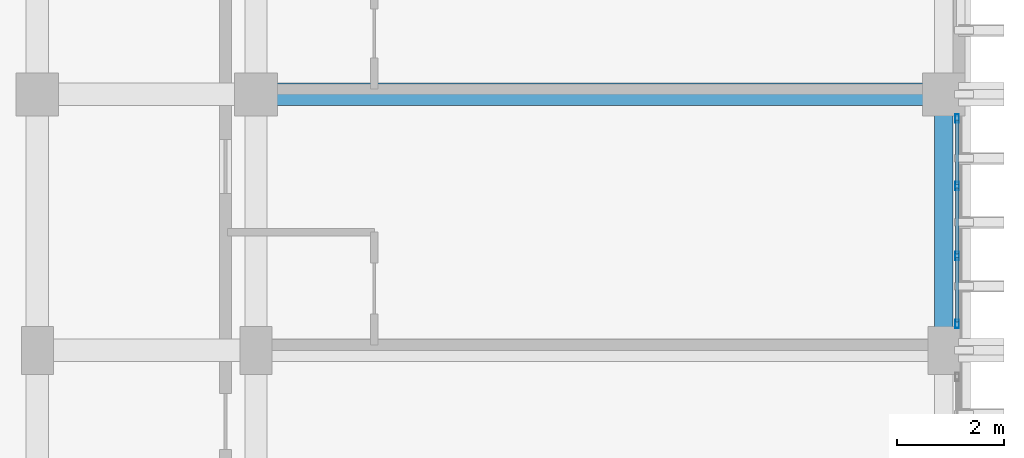
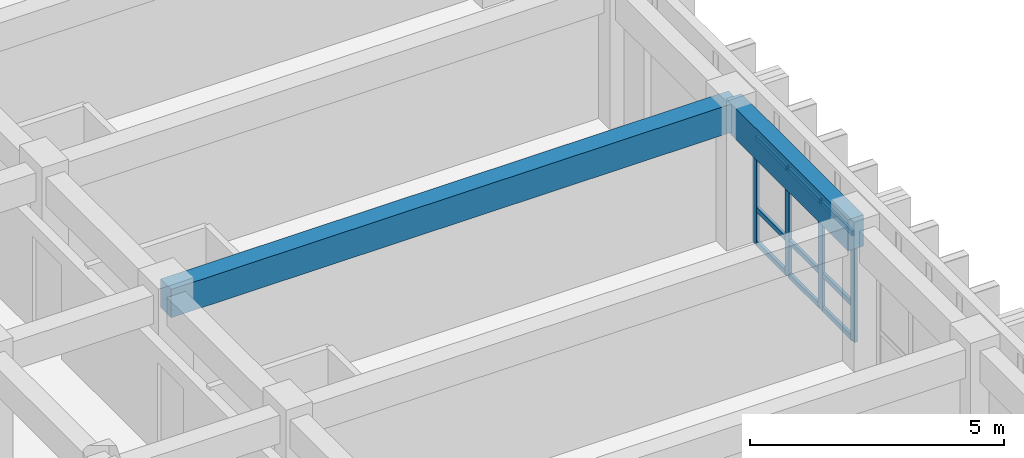
# One storey, part 35 of 82: 13 members, 2 beams, 1 element without a shape of its own.
"""IFC4 building model written with IfcOpenShell, lengths in metres."""

from ifc_helpers import new_model, si_unit, direction, frame, origin, origin_2d, place, context, subcontext, project, spatial, rectangle, hollow_rectangle, extrude, material, layer, layer_set, material_profile, profile_set, type_object, element, aggregate, save


model = new_model("IFC4")

# Units and contexts
model_context = context("Model", 3, precision=1e-05, world=origin(), true_north=direction((0.0, 1.0)))
body_context = subcontext(model_context, "Body", "Model", "MODEL_VIEW")
ifc_project = project(units=[si_unit("LENGTHUNIT", "METRE"), si_unit("AREAUNIT", "SQUARE_METRE"), si_unit("VOLUMEUNIT", "CUBIC_METRE"), si_unit("PLANEANGLEUNIT", "RADIAN"), si_unit("MASSUNIT", "GRAM", prefix="KILO")], contexts=[model_context])

# Site, building, storey
site_placement = place(None, origin())
site = spatial("IfcSite", under=ifc_project, at=site_placement, CompositionType="ELEMENT")
building_placement = place(site_placement, origin())
building = spatial("IfcBuilding", under=site, at=building_placement, Name="Nakhvara Creek Congress Hotel", CompositionType="ELEMENT")
storey_placement = place(building_placement, frame((0.0, 0.0, 21.0)))
storey = spatial("IfcBuildingStorey", under=building, at=storey_placement, Name="L04", CompositionType="ELEMENT", Elevation=21.0)

# Beams
ifc_material_1 = material(Name="Concrete C40/50", Category="concrete")
ifc_material_profile_1 = material_profile(ifc_material_1, rectangle(XDim=0.419921875, YDim=0.679931640625, at=origin_2d()), Name="RC-BM 420x680", Category="LoadBearing")
ifc_profile_set_1 = profile_set([ifc_material_profile_1], Name="Concrete C40/50")
beam_type_1 = type_object("IfcBeamType", Name="BM-RC-420X680", PredefinedType="BEAM", material=ifc_profile_set_1)
beam_1_placement = place(storey_placement, frame((166.449951171875, 86.39990234375, 3.0), z_axis=(1.0, 0.0, 0.0), x_axis=(0.0, 1.0, 0.0)))
element("IfcBeam", 1, at=beam_1_placement, inside=storey, type_object=beam_type_1, Name="Beam B11-L04-1993", PredefinedType="BEAM", context=body_context, shape_type="SweptSolid", body=[
    extrude(rectangle(XDim=0.419921875, YDim=0.679931640625, at=origin_2d()), origin(), (0.0, 0.0, 1.0), 12.900146484375),
])
ifc_material_profile_2 = material_profile(ifc_material_1, rectangle(XDim=0.35009765625, YDim=0.75, at=origin_2d()), Name="RC-SPANDREL 350x750", Category="LoadBearing")
ifc_profile_set_2 = profile_set([ifc_material_profile_2], Name="Concrete C40/50")
beam_type_2 = type_object("IfcBeamType", Name="BM-SPN-350X750", PredefinedType="SPANDREL", material=ifc_profile_set_2)
beam_2_placement = place(storey_placement, frame((179.35009765625, 81.60009765625, 2.965087890625), z_axis=(0.0, 1.0, 0.0), x_axis=(-1.0, 0.0, 0.0)))
element("IfcBeam", 2, at=beam_2_placement, inside=storey, type_object=beam_type_2, Name="Beam SP1-L04-2020", PredefinedType="SPANDREL", context=body_context, shape_type="SweptSolid", body=[
    extrude(rectangle(XDim=0.35009765625, YDim=0.75, at=origin_2d()), origin(), (0.0, 0.0, 1.0), 4.7998046875),
])

# Curtain wall, members
ifc_material_2 = material(Name="Bronze-anodised aluminium AW-6063-T6 and double-silver low-E glass", Category="aluminium")
ifc_layer = layer(ifc_material_2, 0.199951171875)
ifc_layer_set = layer_set([ifc_layer], Name="Bronze-anodised aluminium AW-6063-T6 and double-silver low-E glass")
curtain_wall_type = type_object("IfcCurtainWallType", Name="CW-HTL-UNIT", PredefinedType="USERDEFINED", material=ifc_layer_set)
curtain_wall_placement = place(storey_placement, origin())
curtain_wall = element("IfcCurtainWall", 3, at=curtain_wall_placement, inside=storey, type_object=curtain_wall_type, Name="Curtain Wall CW190", ObjectType="UNITISED", PredefinedType="USERDEFINED")
ifc_material_3 = material(Name="Bronze-anodised aluminium AW-6063-T6", Category="aluminium")
ifc_material_profile_3 = material_profile(ifc_material_3, hollow_rectangle(XDim=0.06494140625, YDim=0.159912109375, WallThickness=0.00390625, at=origin_2d()), Name="ALU-MULL 65x160x4", Category="LoadBearing")
ifc_profile_set_3 = profile_set([ifc_material_profile_3], Name="Bronze-anodised aluminium AW-6063-T6")
member_type_1 = type_object("IfcMemberType", Name="CW-MULL-160", PredefinedType="MULLION", material=ifc_profile_set_3)
member_1_placement = place(storey_placement, frame((179.60009765625, 85.952392578125, 0.0), z_axis=(0.0, 0.0, 1.0), x_axis=(1.0, 0.0, 0.0)))
member_1 = element("IfcMember", 4, at=member_1_placement, type_object=member_type_1, Name="CW190 mullion 1", PredefinedType="MULLION", context=body_context, shape_type="SweptSolid", body=[
    extrude(hollow_rectangle(XDim=0.06494140625, YDim=0.159912109375, WallThickness=0.00390625, at=origin_2d()), origin(), (0.0, 0.0, 1.0), 2.58203125),
])
member_2_placement = place(storey_placement, frame((179.60009765625, 84.67822265625, 0.0), z_axis=(0.0, 0.0, 1.0), x_axis=(1.0, 0.0, 0.0)))
member_2 = element("IfcMember", 5, at=member_2_placement, type_object=member_type_1, Name="CW190 mullion 2", PredefinedType="MULLION", context=body_context, shape_type="SweptSolid", body=[
    extrude(hollow_rectangle(XDim=0.06494140625, YDim=0.159912109375, WallThickness=0.00390625, at=origin_2d()), origin(), (0.0, 0.0, 1.0), 2.58203125),
])
member_3_placement = place(storey_placement, frame((179.60009765625, 83.37158203125, 0.0), z_axis=(0.0, 0.0, 1.0), x_axis=(1.0, 0.0, 0.0)))
member_3 = element("IfcMember", 6, at=member_3_placement, type_object=member_type_1, Name="CW190 mullion 3", PredefinedType="MULLION", context=body_context, shape_type="SweptSolid", body=[
    extrude(hollow_rectangle(XDim=0.06494140625, YDim=0.159912109375, WallThickness=0.00390625, at=origin_2d()), origin(), (0.0, 0.0, 1.0), 2.58203125),
])
member_4_placement = place(storey_placement, frame((179.60009765625, 82.097412109375, 0.0), z_axis=(0.0, 0.0, 1.0), x_axis=(1.0, 0.0, 0.0)))
member_4 = element("IfcMember", 7, at=member_4_placement, type_object=member_type_1, Name="CW190 mullion 4", PredefinedType="MULLION", context=body_context, shape_type="SweptSolid", body=[
    extrude(hollow_rectangle(XDim=0.06494140625, YDim=0.159912109375, WallThickness=0.00390625, at=origin_2d()), origin(), (0.0, 0.0, 1.0), 2.58203125),
])
ifc_material_profile_4 = material_profile(ifc_material_3, hollow_rectangle(XDim=0.06494140625, YDim=0.1201171875, WallThickness=0.00390625, at=origin_2d()), Name="ALU-TRAN 65x120x4", Category="LoadBearing")
ifc_profile_set_4 = profile_set([ifc_material_profile_4], Name="Bronze-anodised aluminium AW-6063-T6")
member_type_2 = type_object("IfcMemberType", Name="CW-TRAN-120", PredefinedType="USERDEFINED", material=ifc_profile_set_4)
member_5_placement = place(storey_placement, frame((179.60009765625, 85.919921875, 0.032470703125), z_axis=(0.0, -1.0, 0.0), x_axis=(1.0, 0.0, 0.0)))
member_5 = element("IfcMember", 8, at=member_5_placement, type_object=member_type_2, Name="CW190 transom 1.1", ObjectType="TRANSOM", PredefinedType="USERDEFINED", context=body_context, shape_type="SweptSolid", body=[
    extrude(hollow_rectangle(XDim=0.06494140625, YDim=0.1201171875, WallThickness=0.00390625, at=origin_2d()), origin(), (0.0, 0.0, 1.0), 1.208984375),
])
member_6_placement = place(storey_placement, frame((179.60009765625, 85.919921875, 0.85009765625), z_axis=(0.0, -1.0, 0.0), x_axis=(1.0, 0.0, 0.0)))
member_6 = element("IfcMember", 9, at=member_6_placement, type_object=member_type_2, Name="CW190 transom 1.2", ObjectType="TRANSOM", PredefinedType="USERDEFINED", context=body_context, shape_type="SweptSolid", body=[
    extrude(hollow_rectangle(XDim=0.06494140625, YDim=0.1201171875, WallThickness=0.00390625, at=origin_2d()), origin(), (0.0, 0.0, 1.0), 1.208984375),
])
member_7_placement = place(storey_placement, frame((179.60009765625, 85.919921875, 2.549560546875), z_axis=(0.0, -1.0, 0.0), x_axis=(1.0, 0.0, 0.0)))
member_7 = element("IfcMember", 10, at=member_7_placement, type_object=member_type_2, Name="CW190 transom 1.3", ObjectType="TRANSOM", PredefinedType="USERDEFINED", context=body_context, shape_type="SweptSolid", body=[
    extrude(hollow_rectangle(XDim=0.06494140625, YDim=0.1201171875, WallThickness=0.00390625, at=origin_2d()), origin(), (0.0, 0.0, 1.0), 1.208984375),
])
member_8_placement = place(storey_placement, frame((179.60009765625, 84.645751953125, 0.032470703125), z_axis=(0.0, -1.0, 0.0), x_axis=(1.0, 0.0, 0.0)))
member_8 = element("IfcMember", 11, at=member_8_placement, type_object=member_type_2, Name="CW190 transom 2.1", ObjectType="TRANSOM", PredefinedType="USERDEFINED", context=body_context, shape_type="SweptSolid", body=[
    extrude(hollow_rectangle(XDim=0.06494140625, YDim=0.1201171875, WallThickness=0.00390625, at=origin_2d()), origin(), (0.0, 0.0, 1.0), 1.24169921875),
])
member_9_placement = place(storey_placement, frame((179.60009765625, 84.645751953125, 0.85009765625), z_axis=(0.0, -1.0, 0.0), x_axis=(1.0, 0.0, 0.0)))
member_9 = element("IfcMember", 12, at=member_9_placement, type_object=member_type_2, Name="CW190 transom 2.2", ObjectType="TRANSOM", PredefinedType="USERDEFINED", context=body_context, shape_type="SweptSolid", body=[
    extrude(hollow_rectangle(XDim=0.06494140625, YDim=0.1201171875, WallThickness=0.00390625, at=origin_2d()), origin(), (0.0, 0.0, 1.0), 1.24169921875),
])
member_10_placement = place(storey_placement, frame((179.60009765625, 84.645751953125, 2.549560546875), z_axis=(0.0, -1.0, 0.0), x_axis=(1.0, 0.0, 0.0)))
member_10 = element("IfcMember", 13, at=member_10_placement, type_object=member_type_2, Name="CW190 transom 2.3", ObjectType="TRANSOM", PredefinedType="USERDEFINED", context=body_context, shape_type="SweptSolid", body=[
    extrude(hollow_rectangle(XDim=0.06494140625, YDim=0.1201171875, WallThickness=0.00390625, at=origin_2d()), origin(), (0.0, 0.0, 1.0), 1.24169921875),
])
member_11_placement = place(storey_placement, frame((179.60009765625, 83.339111328125, 0.032470703125), z_axis=(0.0, -1.0, 0.0), x_axis=(1.0, 0.0, 0.0)))
member_11 = element("IfcMember", 14, at=member_11_placement, type_object=member_type_2, Name="CW190 transom 3.1", ObjectType="TRANSOM", PredefinedType="USERDEFINED", context=body_context, shape_type="SweptSolid", body=[
    extrude(hollow_rectangle(XDim=0.06494140625, YDim=0.1201171875, WallThickness=0.00390625, at=origin_2d()), origin(), (0.0, 0.0, 1.0), 1.209228515625),
])
member_12_placement = place(storey_placement, frame((179.60009765625, 83.339111328125, 0.85009765625), z_axis=(0.0, -1.0, 0.0), x_axis=(1.0, 0.0, 0.0)))
member_12 = element("IfcMember", 15, at=member_12_placement, type_object=member_type_2, Name="CW190 transom 3.2", ObjectType="TRANSOM", PredefinedType="USERDEFINED", context=body_context, shape_type="SweptSolid", body=[
    extrude(hollow_rectangle(XDim=0.06494140625, YDim=0.1201171875, WallThickness=0.00390625, at=origin_2d()), origin(), (0.0, 0.0, 1.0), 1.209228515625),
])
member_13_placement = place(storey_placement, frame((179.60009765625, 83.339111328125, 2.549560546875), z_axis=(0.0, -1.0, 0.0), x_axis=(1.0, 0.0, 0.0)))
member_13 = element("IfcMember", 16, at=member_13_placement, type_object=member_type_2, Name="CW190 transom 3.3", ObjectType="TRANSOM", PredefinedType="USERDEFINED", context=body_context, shape_type="SweptSolid", body=[
    extrude(hollow_rectangle(XDim=0.06494140625, YDim=0.1201171875, WallThickness=0.00390625, at=origin_2d()), origin(), (0.0, 0.0, 1.0), 1.209228515625),
])
aggregate(curtain_wall, [member_1, member_2, member_3, member_4, member_5, member_6, member_7, member_8, member_9, member_10, member_11, member_12, member_13])

save(model, "model.ifc")
